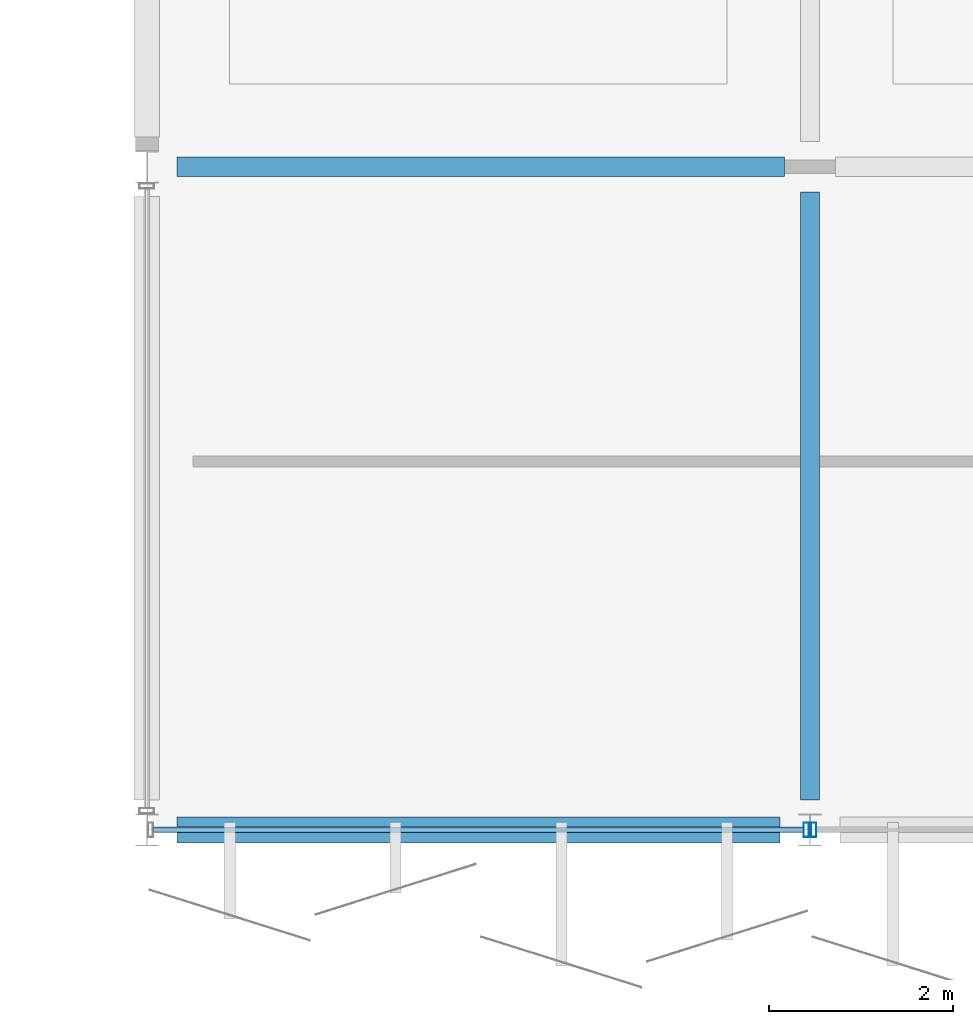
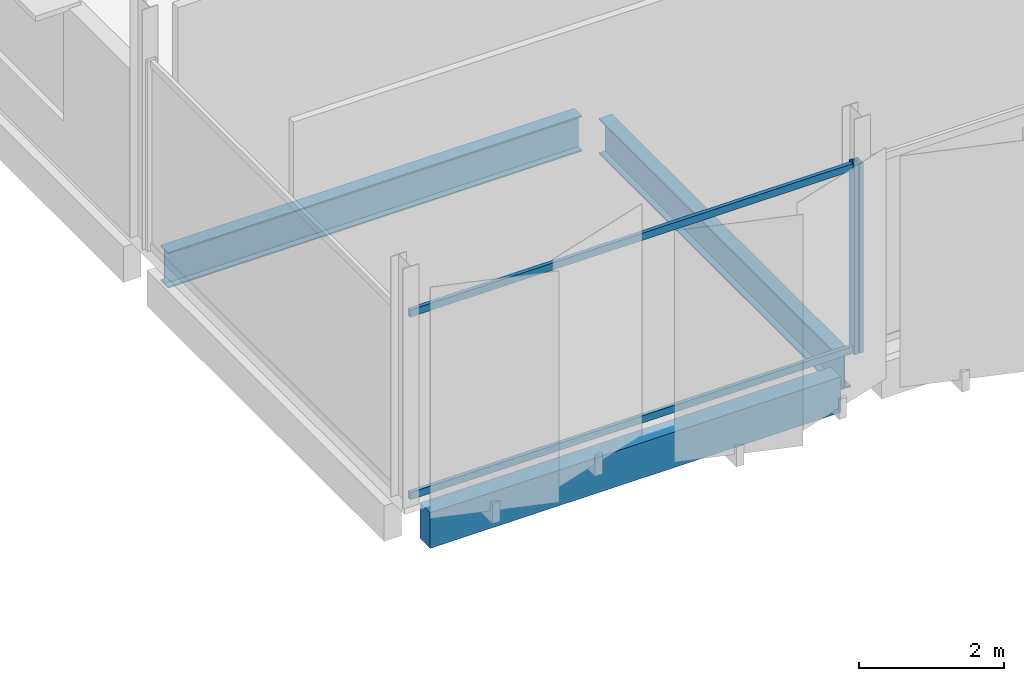
# One storey, part 26 of 91: 4 members, 3 beams, 2 elements without a shape of their own.
"""IFC4 building model written with IfcOpenShell, lengths in metres."""

from ifc_helpers import new_model, si_unit, direction, frame, origin, origin_2d, place, context, subcontext, project, spatial, rectangle, hollow_rectangle, i_section, extrude, material, layer, layer_set, material_profile, profile_set, type_object, element, aggregate, save


model = new_model("IFC4")

# Units and contexts
model_context = context("Model", 3, precision=1e-05, world=origin(), true_north=direction((0.0, 1.0)))
body_context = subcontext(model_context, "Body", "Model", "MODEL_VIEW")
ifc_project = project(units=[si_unit("LENGTHUNIT", "METRE"), si_unit("AREAUNIT", "SQUARE_METRE"), si_unit("VOLUMEUNIT", "CUBIC_METRE"), si_unit("PLANEANGLEUNIT", "RADIAN"), si_unit("MASSUNIT", "GRAM", prefix="KILO")], contexts=[model_context])

# Site, building, storey
site_placement = place(None, origin())
site = spatial("IfcSite", under=ifc_project, at=site_placement, CompositionType="ELEMENT")
building_placement = place(site_placement, origin())
building = spatial("IfcBuilding", under=site, at=building_placement, Name="Kangsadwip Square Police Headquarters", CompositionType="ELEMENT")
storey_placement = place(building_placement, frame((0.0, 0.0, 13.5)))
storey = spatial("IfcBuildingStorey", under=building, at=storey_placement, Name="L03", CompositionType="ELEMENT", Elevation=13.5)

# Curtain wall, member
ifc_material_1 = material(Name="Thermally broken anodised aluminium AW-6063-T6", Category="aluminium")
ifc_layer = layer(ifc_material_1, 0.159912109375)
ifc_layer_set = layer_set([ifc_layer], Name="Thermally broken anodised aluminium AW-6063-T6")
curtain_wall_type = type_object("IfcCurtainWallType", Name="CourtScreen7180x3200", PredefinedType="USERDEFINED", material=ifc_layer_set)
curtain_wall_1_placement = place(storey_placement, origin())
curtain_wall_1 = element("IfcCurtainWall", 1, at=curtain_wall_1_placement, inside=storey, type_object=curtain_wall_type, Name="Curtain Wall CW-L03-0936-0936", ObjectType="GLAZED_SCREEN", PredefinedType="USERDEFINED")
ifc_material_2 = material(Name="Thermally broken anodised aluminium AW-6063-T6", Category="aluminium")
ifc_material_profile_1 = material_profile(ifc_material_2, hollow_rectangle(XDim=0.06005859375, YDim=0.159912109375, WallThickness=0.00390625, at=origin_2d()), Name="CWM 160X60X4")
ifc_profile_set_1 = profile_set([ifc_material_profile_1], Name="Thermally broken anodised aluminium AW-6063-T6")
member_type_1 = type_object("IfcMemberType", Name="CwMullion135x60", PredefinedType="MULLION", material=ifc_profile_set_1)
member_1_placement = place(storey_placement, frame((100.760009765625, 93.60009765625, 0.0), z_axis=(0.0, 0.0, 1.0), x_axis=(1.0, 0.0, 0.0)))
member_1 = element("IfcMember", 2, at=member_1_placement, type_object=member_type_1, Name="CW-17 mullion 2", PredefinedType="MULLION", context=body_context, shape_type="SweptSolid", body=[
    extrude(hollow_rectangle(XDim=0.06005859375, YDim=0.159912109375, WallThickness=0.00390625, at=origin_2d()), origin(), (0.0, 0.0, 1.0), 3.199951171875),
])

curtain_wall_2_placement = place(storey_placement, origin())
curtain_wall_2 = element("IfcCurtainWall", 3, at=curtain_wall_2_placement, inside=storey, type_object=curtain_wall_type, Name="Curtain Wall CW-L03-1008-0936", ObjectType="GLAZED_SCREEN", PredefinedType="USERDEFINED")
member_2_placement = place(storey_placement, frame((100.840087890625, 93.60009765625, 0.0), z_axis=(0.0, 0.0, 1.0), x_axis=(1.0, 0.0, 0.0)))
member_2 = element("IfcMember", 4, at=member_2_placement, type_object=member_type_1, Name="CW-17 mullion 1", PredefinedType="MULLION", context=body_context, shape_type="SweptSolid", body=[
    extrude(hollow_rectangle(XDim=0.06005859375, YDim=0.159912109375, WallThickness=0.00390625, at=origin_2d()), origin(), (0.0, 0.0, 1.0), 3.199951171875),
])
aggregate(curtain_wall_2, [member_2])

# Member
ifc_material_3 = material(Name="Thermally broken anodised aluminium AW-6063-T6", Category="aluminium")
ifc_material_profile_2 = material_profile(ifc_material_3, hollow_rectangle(XDim=0.06005859375, YDim=0.1201171875, WallThickness=0.00390625, at=origin_2d()), Name="CWT 120X60X4")
ifc_profile_set_2 = profile_set([ifc_material_profile_2], Name="Thermally broken anodised aluminium AW-6063-T6")
member_type_2 = type_object("IfcMemberType", Name="CwTransom120x55", PredefinedType="USERDEFINED", material=ifc_profile_set_2)
member_3_placement = place(storey_placement, frame((93.669921875, 93.60009765625, 0.06005859375), z_axis=(1.0, 0.0, 0.0), x_axis=(0.0, 1.0, 0.0)))
member_3 = element("IfcMember", 5, at=member_3_placement, type_object=member_type_2, Name="CW-17 transom 1.1", ObjectType="TRANSOM", PredefinedType="USERDEFINED", context=body_context, shape_type="SweptSolid", body=[
    extrude(hollow_rectangle(XDim=0.06005859375, YDim=0.1201171875, WallThickness=0.00390625, at=origin_2d()), origin(), (0.0, 0.0, 1.0), 7.06005859375),
])

member_4_placement = place(storey_placement, frame((93.669921875, 93.60009765625, 3.139892578125), z_axis=(1.0, 0.0, 0.0), x_axis=(0.0, 1.0, 0.0)))
member_4 = element("IfcMember", 6, at=member_4_placement, type_object=member_type_2, Name="CW-17 transom 1.2", ObjectType="TRANSOM", PredefinedType="USERDEFINED", context=body_context, shape_type="SweptSolid", body=[
    extrude(hollow_rectangle(XDim=0.06005859375, YDim=0.1201171875, WallThickness=0.00390625, at=origin_2d()), origin(), (0.0, 0.0, 1.0), 7.06005859375),
])

aggregate(curtain_wall_1, [member_1, member_3, member_4])

# Beams
ifc_material_4 = material(Name="Concrete M40 (40 MPa)", Category="concrete")
ifc_material_profile_3 = material_profile(ifc_material_4, rectangle(XDim=0.280029296875, YDim=0.60009765625, at=origin_2d()), Name="RC SPN 600X280")
ifc_profile_set_3 = profile_set([ifc_material_profile_3], Name="Concrete M40 (40 MPa)")
beam_type_1 = type_object("IfcBeamType", Name="RcSpandrel600x280", PredefinedType="SPANDREL", material=ifc_profile_set_3)
beam_placement = place(storey_placement, frame((93.925048828125, 93.60009765625, -0.5400390625), z_axis=(1.0, 0.0, 0.0), x_axis=(0.0, 1.0, 0.0)))
element("IfcBeam", 7, at=beam_placement, inside=storey, type_object=beam_type_1, Name="Beam BM-L03-X-13-13", PredefinedType="SPANDREL", context=body_context, shape_type="SweptSolid", body=[
    extrude(rectangle(XDim=0.280029296875, YDim=0.60009765625, at=origin_2d()), origin(), (0.0, 0.0, 1.0), 6.550048828125),
])
ifc_material_5 = material(Name="Structural steel IS 2062 E350 (Grade 350, 350 MPa)", Category="steel")
ifc_material_profile_4 = material_profile(ifc_material_5, i_section(OverallWidth=0.2099609375, OverallDepth=0.60009765625, WebThickness=0.011962890625, FlangeThickness=0.020751953125, at=origin_2d()), Name="ISMB 600")
ifc_profile_set_4 = profile_set([ifc_material_profile_4], Name="Structural steel IS 2062 E350 (Grade 350, 350 MPa)")
beam_type_2 = type_object("IfcBeamType", Name="SteelBeamIsmb600", PredefinedType="BEAM", material=ifc_profile_set_4)
for number, where, z_axis, x_axis, name in (
    (8, (93.925048828125, 100.800048828125, -0.5400390625), (1.0, 0.0, 0.0), (0.0, 1.0, 0.0), "Beam BM-L03-X-13-14"),
    (9, (100.800048828125, 93.925048828125, -0.5400390625), (0.0, 1.0, 0.0), (-1.0, 0.0, 0.0), "Beam BM-L03-Y-14-13"),
):
    element("IfcBeam", number, at=place(storey_placement, frame(where, z_axis=z_axis, x_axis=x_axis)), inside=storey, type_object=beam_type_2, Name=name, PredefinedType="BEAM", context=body_context, shape_type="SweptSolid", body=[
        extrude(i_section(OverallWidth=0.2099609375, OverallDepth=0.60009765625, WebThickness=0.011962890625, FlangeThickness=0.020751953125, at=origin_2d()), origin(), (0.0, 0.0, 1.0), 6.599853515625),
    ])

save(model, "model.ifc")
